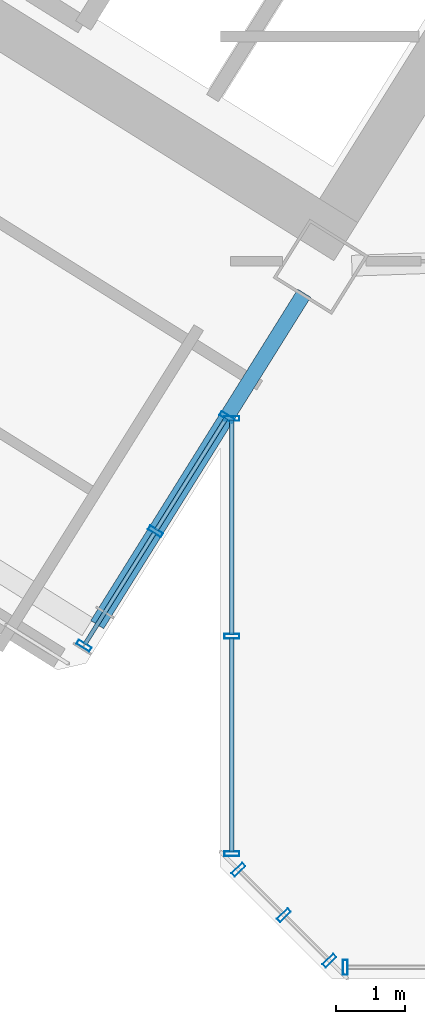
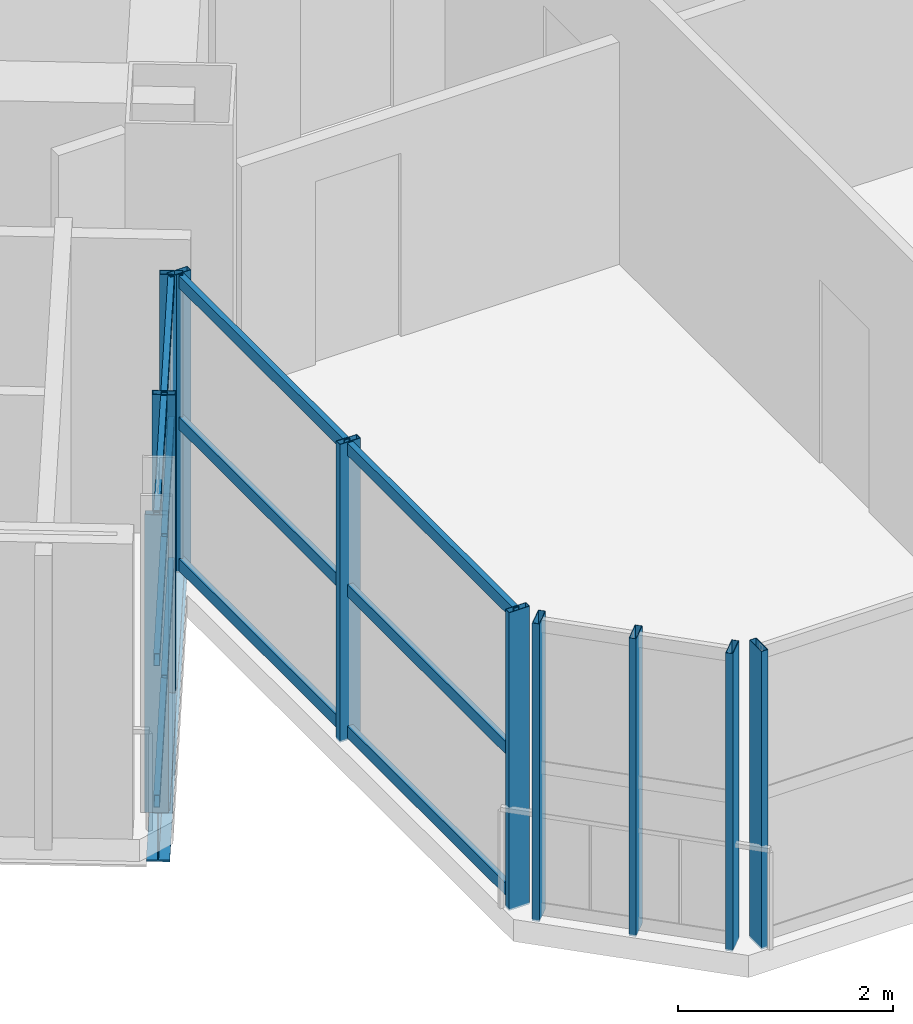
# One storey, part 5 of 28: 22 members, 1 beam, 4 elements without a shape of their own.
"""IFC4 building model written with IfcOpenShell, lengths in metres."""

from ifc_helpers import new_model, si_unit, direction, frame, origin, origin_2d, place, context, subcontext, project, spatial, hollow_rectangle, i_section, extrude, source, transform, mapped, material, material_profile, profile_set, type_object, element, aggregate, save


model = new_model("IFC4")

# Units and contexts
model_context = context("Model", 3, precision=1e-05, world=origin(), true_north=direction((0.0, 1.0)))
body_context = subcontext(model_context, "Body", "Model", "MODEL_VIEW")
ifc_project = project(units=[si_unit("LENGTHUNIT", "METRE"), si_unit("AREAUNIT", "SQUARE_METRE"), si_unit("VOLUMEUNIT", "CUBIC_METRE"), si_unit("PLANEANGLEUNIT", "RADIAN"), si_unit("MASSUNIT", "GRAM", prefix="KILO")], contexts=[model_context])

# Site, building, storey
site_placement = place(None, origin())
site = spatial("IfcSite", under=ifc_project, at=site_placement, CompositionType="ELEMENT")
building_placement = place(site_placement, origin())
building = spatial("IfcBuilding", under=site, at=building_placement, Name="Tlacorven Tower", CompositionType="ELEMENT")
storey_placement = place(building_placement, frame((0.0, 0.0, 34.800048828125)))
storey = spatial("IfcBuildingStorey", under=building, at=storey_placement, Name="L08", CompositionType="ELEMENT", Elevation=34.800048828125)

# Beam
ifc_material_1 = material(Name="Steel S355J2", Category="steel")
ifc_material_profile_1 = material_profile(ifc_material_1, i_section(OverallWidth=0.219970703125, OverallDepth=0.60009765625, WebThickness=0.011962890625, FlangeThickness=0.01904296875, at=origin_2d()), Name="IPE 600")
ifc_profile_set_1 = profile_set([ifc_material_profile_1], Name="Steel S355J2")
beam_type = type_object("IfcBeamType", Name="BM-TWR-600", PredefinedType="BEAM", material=ifc_profile_set_1)
shared_shape_1 = source(origin(), body_context, "Body", "SweptSolid", [
    extrude(i_section(OverallWidth=0.219970703125, OverallDepth=0.60009765625, WebThickness=0.011962890625, FlangeThickness=0.01904296875, at=origin_2d()), origin(), (0.0, 0.0, 1.0), 5.64990234375),
])
beam_placement = place(storey_placement, frame((32.8076171875, 11.705322265625, -0.550048828125), z_axis=(-0.529897948462, -0.848061415356, 0.0), x_axis=(0.848061415356, -0.529897948462, 0.0)))
element("IfcBeam", 1, at=beam_placement, inside=storey, type_object=beam_type, Name="L08 beam BM-L08-WT1-2", PredefinedType="BEAM", context=body_context, shape_type="MappedRepresentation", body=[
    mapped(shared_shape_1, transform((0.0, 0.0, 0.0), scale=1.0)),
])

# Curtain wall, members
ifc_material_2 = material(Name="Dark solar low-E double glazing in aluminium frame", Category="aluminium")
curtain_wall_type = type_object("IfcCurtainWallType", Name="CW-TWR-LOW", PredefinedType="USERDEFINED", material=ifc_material_2)
curtain_wall_1_placement = place(storey_placement, origin())
curtain_wall_1 = element("IfcCurtainWall", 2, at=curtain_wall_1_placement, inside=storey, type_object=curtain_wall_type, Name="L08 CW-TWR-LOW Curtain Wall 42", ObjectType="UNITISED CURTAIN WALL", PredefinedType="USERDEFINED")
ifc_material_3 = material(Name="Aluminium 6063-T6 anodised", Category="aluminium")
ifc_material_profile_2 = material_profile(ifc_material_3, hollow_rectangle(XDim=0.06005859375, YDim=0.139892578125, WallThickness=0.00390625, at=origin_2d()), Name="ALU TRANSOM 60X140")
ifc_profile_set_2 = profile_set([ifc_material_profile_2], Name="Aluminium 6063-T6 anodised")
member_type_1 = type_object("IfcMemberType", Name="CWT-02", PredefinedType="USERDEFINED", material=ifc_profile_set_2)
shared_shape_2 = source(origin(), body_context, "Body", "SweptSolid", [
    extrude(hollow_rectangle(XDim=0.06005859375, YDim=0.139892578125, WallThickness=0.00390625, at=origin_2d()), origin(), (0.0, 0.0, 1.0), 3.10009765625),
])
member_1_placement = place(storey_placement, frame((31.760009765625, 3.624267578125, 0.070068359375), z_axis=(0.0, 1.0, 0.0), x_axis=(-1.0, 0.0, 0.0)))
member_1 = element("IfcMember", 3, at=member_1_placement, type_object=member_type_1, Name="CW-L08-042 Transom 1", ObjectType="TRANSOM", PredefinedType="USERDEFINED", context=body_context, shape_type="MappedRepresentation", body=[
    mapped(shared_shape_2, transform((0.0, 0.0, 0.0), scale=1.0)),
])
member_2_placement = place(storey_placement, frame((31.760009765625, 3.624267578125, 1.675048828125), z_axis=(0.0, 1.0, 0.0), x_axis=(-1.0, 0.0, 0.0)))
member_2 = element("IfcMember", 4, at=member_2_placement, type_object=member_type_1, Name="CW-L08-042 Transom 2", ObjectType="TRANSOM", PredefinedType="USERDEFINED", context=body_context, shape_type="MappedRepresentation", body=[
    mapped(shared_shape_2, transform((0.0, 0.0, 0.0), scale=1.0)),
])
member_3_placement = place(storey_placement, frame((31.760009765625, 3.624267578125, 3.280029296875), z_axis=(0.0, 1.0, 0.0), x_axis=(-1.0, 0.0, 0.0)))
member_3 = element("IfcMember", 5, at=member_3_placement, type_object=member_type_1, Name="CW-L08-042 Transom 3", ObjectType="TRANSOM", PredefinedType="USERDEFINED", context=body_context, shape_type="MappedRepresentation", body=[
    mapped(shared_shape_2, transform((0.0, 0.0, 0.0), scale=1.0)),
])
member_4_placement = place(storey_placement, frame((31.760009765625, 6.7705078125, 0.070068359375), z_axis=(0.0, 1.0, 0.0), x_axis=(-1.0, 0.0, 0.0)))
member_4 = element("IfcMember", 6, at=member_4_placement, type_object=member_type_1, Name="CW-L08-042 Transom 4", ObjectType="TRANSOM", PredefinedType="USERDEFINED", context=body_context, shape_type="MappedRepresentation", body=[
    mapped(shared_shape_2, transform((0.0, 0.0, 0.0), scale=1.0)),
])
member_5_placement = place(storey_placement, frame((31.760009765625, 6.7705078125, 1.675048828125), z_axis=(0.0, 1.0, 0.0), x_axis=(-1.0, 0.0, 0.0)))
member_5 = element("IfcMember", 7, at=member_5_placement, type_object=member_type_1, Name="CW-L08-042 Transom 5", ObjectType="TRANSOM", PredefinedType="USERDEFINED", context=body_context, shape_type="MappedRepresentation", body=[
    mapped(shared_shape_2, transform((0.0, 0.0, 0.0), scale=1.0)),
])
member_6_placement = place(storey_placement, frame((31.760009765625, 6.7705078125, 3.280029296875), z_axis=(0.0, 1.0, 0.0), x_axis=(-1.0, 0.0, 0.0)))
member_6 = element("IfcMember", 8, at=member_6_placement, type_object=member_type_1, Name="CW-L08-042 Transom 6", ObjectType="TRANSOM", PredefinedType="USERDEFINED", context=body_context, shape_type="MappedRepresentation", body=[
    mapped(shared_shape_2, transform((0.0, 0.0, 0.0), scale=1.0)),
])

curtain_wall_2_placement = place(storey_placement, origin())
curtain_wall_2 = element("IfcCurtainWall", 9, at=curtain_wall_2_placement, inside=storey, type_object=curtain_wall_type, Name="L08 CW-TWR-LOW Curtain Wall 43", ObjectType="UNITISED CURTAIN WALL", PredefinedType="USERDEFINED")
shared_shape_3 = source(origin(), body_context, "Body", "SweptSolid", [
    extrude(hollow_rectangle(XDim=0.06005859375, YDim=0.139892578125, WallThickness=0.00390625, at=origin_2d()), origin(), (0.0, 0.0, 1.0), 1.902587890625),
])
member_7_placement = place(storey_placement, frame((31.67626953125, 9.894775390625, 0.070068359375), z_axis=(-0.529848980307, -0.848092010378, 0.0), x_axis=(0.848092010378, -0.529848980307, 0.0)))
member_7 = element("IfcMember", 10, at=member_7_placement, type_object=member_type_1, Name="CW-L08-043 Transom 1", ObjectType="TRANSOM", PredefinedType="USERDEFINED", context=body_context, shape_type="MappedRepresentation", body=[
    mapped(shared_shape_3, transform((0.0, 0.0, 0.0), scale=1.0)),
])
member_8_placement = place(storey_placement, frame((31.67626953125, 9.894775390625, 1.675048828125), z_axis=(-0.529848980307, -0.848092010378, 0.0), x_axis=(0.848092010378, -0.529848980307, 0.0)))
member_8 = element("IfcMember", 11, at=member_8_placement, type_object=member_type_1, Name="CW-L08-043 Transom 2", ObjectType="TRANSOM", PredefinedType="USERDEFINED", context=body_context, shape_type="MappedRepresentation", body=[
    mapped(shared_shape_3, transform((0.0, 0.0, 0.0), scale=1.0)),
])
member_9_placement = place(storey_placement, frame((31.67626953125, 9.894775390625, 3.280029296875), z_axis=(-0.529848980307, -0.848092010378, 0.0), x_axis=(0.848092010378, -0.529848980307, 0.0)))
member_9 = element("IfcMember", 12, at=member_9_placement, type_object=member_type_1, Name="CW-L08-043 Transom 3", ObjectType="TRANSOM", PredefinedType="USERDEFINED", context=body_context, shape_type="MappedRepresentation", body=[
    mapped(shared_shape_3, transform((0.0, 0.0, 0.0), scale=1.0)),
])
shared_shape_4 = source(origin(), body_context, "Body", "SweptSolid", [
    extrude(hollow_rectangle(XDim=0.06005859375, YDim=0.139892578125, WallThickness=0.00390625, at=origin_2d()), origin(), (0.0, 0.0, 1.0), 1.90234375),
])
member_10_placement = place(storey_placement, frame((30.643798828125, 8.242431640625, 0.070068359375), z_axis=(-0.52990664903, -0.84805597888, 0.0), x_axis=(0.84805597888, -0.52990664903, 0.0)))
member_10 = element("IfcMember", 13, at=member_10_placement, type_object=member_type_1, Name="CW-L08-043 Transom 4", ObjectType="TRANSOM", PredefinedType="USERDEFINED", context=body_context, shape_type="MappedRepresentation", body=[
    mapped(shared_shape_4, transform((0.0, 0.0, 0.0), scale=1.0)),
])
member_11_placement = place(storey_placement, frame((30.643798828125, 8.242431640625, 1.675048828125), z_axis=(-0.52990664903, -0.84805597888, 0.0), x_axis=(0.84805597888, -0.52990664903, 0.0)))
member_11 = element("IfcMember", 14, at=member_11_placement, type_object=member_type_1, Name="CW-L08-043 Transom 5", ObjectType="TRANSOM", PredefinedType="USERDEFINED", context=body_context, shape_type="MappedRepresentation", body=[
    mapped(shared_shape_4, transform((0.0, 0.0, 0.0), scale=1.0)),
])
member_12_placement = place(storey_placement, frame((30.643798828125, 8.242431640625, 3.280029296875), z_axis=(-0.52990664903, -0.84805597888, 0.0), x_axis=(0.84805597888, -0.52990664903, 0.0)))
member_12 = element("IfcMember", 15, at=member_12_placement, type_object=member_type_1, Name="CW-L08-043 Transom 6", ObjectType="TRANSOM", PredefinedType="USERDEFINED", context=body_context, shape_type="MappedRepresentation", body=[
    mapped(shared_shape_4, transform((0.0, 0.0, 0.0), scale=1.0)),
])

# Curtain wall, member
curtain_wall_3_placement = place(storey_placement, origin())
curtain_wall_3 = element("IfcCurtainWall", 16, at=curtain_wall_3_placement, inside=storey, type_object=curtain_wall_type, Name="L08 CW-TWR-LOW Curtain Wall 40", ObjectType="UNITISED CURTAIN WALL", PredefinedType="USERDEFINED")
ifc_material_profile_3 = material_profile(ifc_material_3, hollow_rectangle(XDim=0.070068359375, YDim=0.219970703125, WallThickness=0.0048828125, at=origin_2d()), Name="ALU MULLION 70X220")
ifc_profile_set_3 = profile_set([ifc_material_profile_3], Name="Aluminium 6063-T6 anodised")
member_type_2 = type_object("IfcMemberType", Name="CWM-01", PredefinedType="MULLION", material=ifc_profile_set_3)
shared_shape_5 = source(origin(), body_context, "Body", "SweptSolid", [
    extrude(hollow_rectangle(XDim=0.070068359375, YDim=0.219970703125, WallThickness=0.0048828125, at=origin_2d()), origin(), (0.0, 0.0, 1.0), 3.3798828125),
])
member_13_placement = place(storey_placement, frame((33.4013671875, 1.9599609375, -0.02001953125), z_axis=(0.0, 0.0, 1.0), x_axis=(-1.0, 0.0, 0.0)))
member_13 = element("IfcMember", 17, at=member_13_placement, type_object=member_type_2, Name="CW-L08-040 Mullion 4", PredefinedType="MULLION", context=body_context, shape_type="MappedRepresentation", body=[
    mapped(shared_shape_5, transform((0.0, 0.0, 0.0), scale=1.0)),
])
aggregate(curtain_wall_3, [member_13])

# Curtain wall, members
curtain_wall_4_placement = place(storey_placement, origin())
curtain_wall_4 = element("IfcCurtainWall", 18, at=curtain_wall_4_placement, inside=storey, type_object=curtain_wall_type, Name="L08 CW-TWR-LOW Curtain Wall 41", ObjectType="UNITISED CURTAIN WALL", PredefinedType="USERDEFINED")
member_14_placement = place(storey_placement, frame((33.1708984375, 2.055419921875, -0.02001953125), z_axis=(0.0, 0.0, 1.0), x_axis=(-0.707106781187, 0.707106781187, 0.0)))
member_14 = element("IfcMember", 19, at=member_14_placement, type_object=member_type_2, Name="CW-L08-041 Mullion 1", PredefinedType="MULLION", context=body_context, shape_type="MappedRepresentation", body=[
    mapped(shared_shape_5, transform((0.0, 0.0, 0.0), scale=1.0)),
])
member_15_placement = place(storey_placement, frame((32.51318359375, 2.713134765625, -0.02001953125), z_axis=(0.0, 0.0, 1.0), x_axis=(-0.707106781187, 0.707106781187, 0.0)))
member_15 = element("IfcMember", 20, at=member_15_placement, type_object=member_type_2, Name="CW-L08-041 Mullion 2", PredefinedType="MULLION", context=body_context, shape_type="MappedRepresentation", body=[
    mapped(shared_shape_5, transform((0.0, 0.0, 0.0), scale=1.0)),
])
member_16_placement = place(storey_placement, frame((31.85546875, 3.370849609375, -0.02001953125), z_axis=(0.0, 0.0, 1.0), x_axis=(-0.707106781187, 0.707106781187, 0.0)))
member_16 = element("IfcMember", 21, at=member_16_placement, type_object=member_type_2, Name="CW-L08-041 Mullion 3", PredefinedType="MULLION", context=body_context, shape_type="MappedRepresentation", body=[
    mapped(shared_shape_5, transform((0.0, 0.0, 0.0), scale=1.0)),
])
aggregate(curtain_wall_4, [member_14, member_15, member_16])

# Member
member_17_placement = place(storey_placement, frame((31.760009765625, 3.601318359375, -0.02001953125), z_axis=(0.0, 0.0, 1.0), x_axis=(0.0, 1.0, 0.0)))
member_17 = element("IfcMember", 22, at=member_17_placement, type_object=member_type_2, Name="CW-L08-042 Mullion 1", PredefinedType="MULLION", context=body_context, shape_type="MappedRepresentation", body=[
    mapped(shared_shape_5, transform((0.0, 0.0, 0.0), scale=1.0)),
])

member_18_placement = place(storey_placement, frame((31.760009765625, 6.74755859375, -0.02001953125), z_axis=(0.0, 0.0, 1.0), x_axis=(0.0, 1.0, 0.0)))
member_18 = element("IfcMember", 23, at=member_18_placement, type_object=member_type_2, Name="CW-L08-042 Mullion 2", PredefinedType="MULLION", context=body_context, shape_type="MappedRepresentation", body=[
    mapped(shared_shape_5, transform((0.0, 0.0, 0.0), scale=1.0)),
])

member_19_placement = place(storey_placement, frame((31.760009765625, 9.8935546875, -0.02001953125), z_axis=(0.0, 0.0, 1.0), x_axis=(0.0, 1.0, 0.0)))
member_19 = element("IfcMember", 24, at=member_19_placement, type_object=member_type_2, Name="CW-L08-042 Mullion 3", PredefinedType="MULLION", context=body_context, shape_type="MappedRepresentation", body=[
    mapped(shared_shape_5, transform((0.0, 0.0, 0.0), scale=1.0)),
])

aggregate(curtain_wall_1, [member_17, member_18, member_19, member_1, member_2, member_3, member_4, member_5, member_6])

member_20_placement = place(storey_placement, frame((31.6884765625, 9.9140625, -0.02001953125), z_axis=(0.0, 0.0, 1.0), x_axis=(-0.529918710919, -0.848048441905, 0.0)))
member_20 = element("IfcMember", 25, at=member_20_placement, type_object=member_type_2, Name="CW-L08-043 Mullion 1", PredefinedType="MULLION", context=body_context, shape_type="MappedRepresentation", body=[
    mapped(shared_shape_5, transform((0.0, 0.0, 0.0), scale=1.0)),
])

member_21_placement = place(storey_placement, frame((30.656005859375, 8.261962890625, -0.02001953125), z_axis=(0.0, 0.0, 1.0), x_axis=(-0.529918710919, -0.848048441905, 0.0)))
member_21 = element("IfcMember", 26, at=member_21_placement, type_object=member_type_2, Name="CW-L08-043 Mullion 2", PredefinedType="MULLION", context=body_context, shape_type="MappedRepresentation", body=[
    mapped(shared_shape_5, transform((0.0, 0.0, 0.0), scale=1.0)),
])

member_22_placement = place(storey_placement, frame((29.62353515625, 6.609619140625, -0.02001953125), z_axis=(0.0, 0.0, 1.0), x_axis=(-0.529918710919, -0.848048441905, 0.0)))
member_22 = element("IfcMember", 27, at=member_22_placement, type_object=member_type_2, Name="CW-L08-043 Mullion 3", PredefinedType="MULLION", context=body_context, shape_type="MappedRepresentation", body=[
    mapped(shared_shape_5, transform((0.0, 0.0, 0.0), scale=1.0)),
])

aggregate(curtain_wall_2, [member_20, member_21, member_22, member_7, member_8, member_9, member_10, member_11, member_12])

save(model, "model.ifc")
